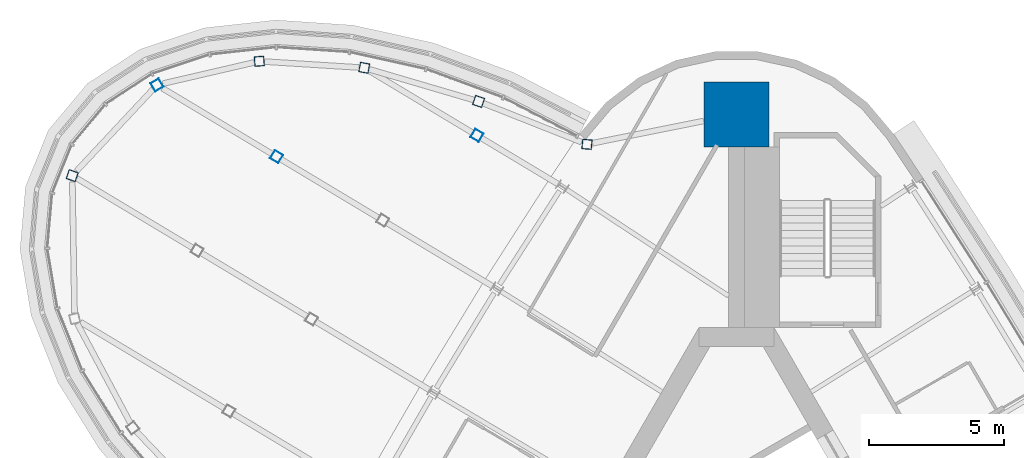
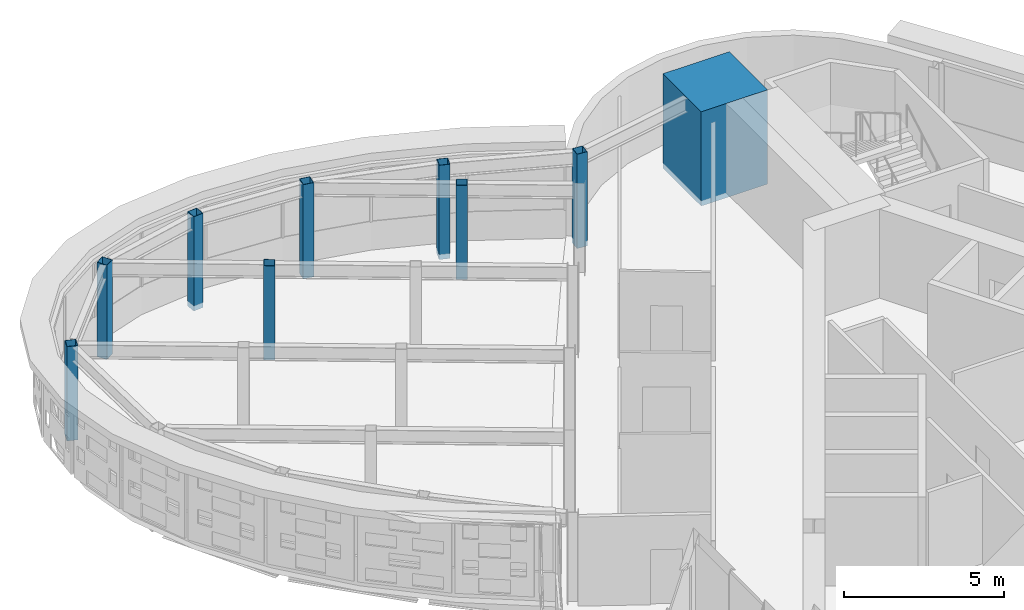
# One storey, part 3 of 13: 9 columns.
"""IFC4 building model written with IfcOpenShell, lengths in metres."""

from ifc_helpers import new_model, si_unit, direction, frame, origin, origin_2d, place, context, subcontext, project, spatial, rectangle, hollow_rectangle, extrude, material, material_profile, profile_set, type_object, element, save


model = new_model("IFC4")

# Units and contexts
model_context = context("Model", 3, precision=1e-05, world=origin(), true_north=direction((0.0, 1.0)))
body_context = subcontext(model_context, "Body", "Model", "MODEL_VIEW")
ifc_project = project(units=[si_unit("LENGTHUNIT", "METRE"), si_unit("AREAUNIT", "SQUARE_METRE"), si_unit("VOLUMEUNIT", "CUBIC_METRE"), si_unit("PLANEANGLEUNIT", "RADIAN"), si_unit("MASSUNIT", "GRAM", prefix="KILO")], contexts=[model_context])

# Site, building, storey
site_placement = place(None, origin())
site = spatial("IfcSite", under=ifc_project, at=site_placement, CompositionType="ELEMENT")
building_placement = place(site_placement, origin())
building = spatial("IfcBuilding", under=site, at=building_placement, Name="Noor Cloister Tower", CompositionType="ELEMENT")
storey_placement = place(building_placement, frame((0.0, 0.0, 270.60009765625)))
storey = spatial("IfcBuildingStorey", under=building, at=storey_placement, Name="L69", CompositionType="ELEMENT", Elevation=270.60009765625)

# Columns
ifc_material_1 = material(Name="Concrete C60/75", Category="concrete")
ifc_material_profile_1 = material_profile(ifc_material_1, rectangle(XDim=2.39990234375, YDim=2.39990234375, at=origin_2d()), Name="RC 2400x2400")
ifc_profile_set_1 = profile_set([ifc_material_profile_1], Name="Concrete C60/75")
column_type_1 = type_object("IfcColumnType", Name="Corner pier 2400 x 2400 C60/75", PredefinedType="COLUMN", material=ifc_profile_set_1)
column_placement = place(storey_placement, frame((0.0, 19.3349609375, -0.2001953125), z_axis=(0.0, 0.0, 1.0), x_axis=(0.0, 1.0, 0.0)))
element("IfcColumn", 1, at=column_placement, inside=storey, type_object=column_type_1, Name="Corner pier N L69", PredefinedType="COLUMN", context=body_context, shape_type="SweptSolid", body=[
    extrude(rectangle(XDim=2.39990234375, YDim=2.39990234375, at=origin_2d()), origin(), (0.0, 0.0, 1.0), 3.60009765625),
])
ifc_material_2 = material(Name="Steel ASTM A500 Gr C", Category="steel")
ifc_material_profile_2 = material_profile(ifc_material_2, hollow_rectangle(XDim=0.35595703125, YDim=0.35595703125, WallThickness=0.0126953125, at=origin_2d()), Name="HSS355.6x355.6x12.7")
ifc_profile_set_2 = profile_set([ifc_material_profile_2], Name="Steel ASTM A500 Gr C")
column_type_2 = type_object("IfcColumnType", Name="Pod post HSS355.6x355.6x12.7", PredefinedType="COLUMN", material=ifc_profile_set_2)
for number, where, z_axis, x_axis, name in (
    (2, (-9.59765625, 18.558349609375, -0.2001953125), (0.0, 0.0, 1.0), (-0.857566798966, 0.514372613299, 0.0), "Pod post 5 L69 line 1 node 1"),
    (3, (-17.0048828125, 17.771240234375, -0.2001953125), (0.0, 0.0, 1.0), (-0.857566798966, 0.514372613299, 0.0), "Pod post 5 L69 line 2 node 2"),
    (4, (-5.529296875, 18.228271484375, -0.2001953125), (0.0, 0.0, 1.0), (-0.996283580932, 0.086133770183, 0.0), "Pod post 5 L69 ring 2"),
    (5, (-9.53759765625, 19.815673828125, -0.2001953125), (0.0, 0.0, 1.0), (-0.945745789628, 0.324907527462, 0.0), "Pod post 5 L69 ring 3"),
    (6, (-13.76416015625, 21.057373046875, -0.2001953125), (0.0, 0.0, 1.0), (-0.983656388014, 0.180055853333, 0.0), "Pod post 5 L69 ring 4"),
    (7, (-17.643798828125, 21.299560546875, -0.2001953125), (0.0, 0.0, 1.0), (-0.99658507003, -0.08257238154, 0.0), "Pod post 5 L69 ring 5"),
    (8, (-21.425537109375, 20.422607421875, -0.2001953125), (0.0, 0.0, 1.0), (-0.853154382661, -0.521658508362, 0.0), "Pod post 5 L69 ring 6"),
    (9, (-24.56005859375, 17.070556640625, -0.2001953125), (0.0, 0.0, 1.0), (-0.332678988267, -0.943040132108, 0.0), "Pod post 5 L69 ring 7"),
):
    element("IfcColumn", number, at=place(storey_placement, frame(where, z_axis=z_axis, x_axis=x_axis)), inside=storey, type_object=column_type_2, Name=name, PredefinedType="COLUMN", context=body_context, shape_type="SweptSolid", body=[
        extrude(hollow_rectangle(XDim=0.35595703125, YDim=0.35595703125, WallThickness=0.0126953125, at=origin_2d()), origin(), (0.0, 0.0, 1.0), 3.60009765625),
    ])

save(model, "model.ifc")
